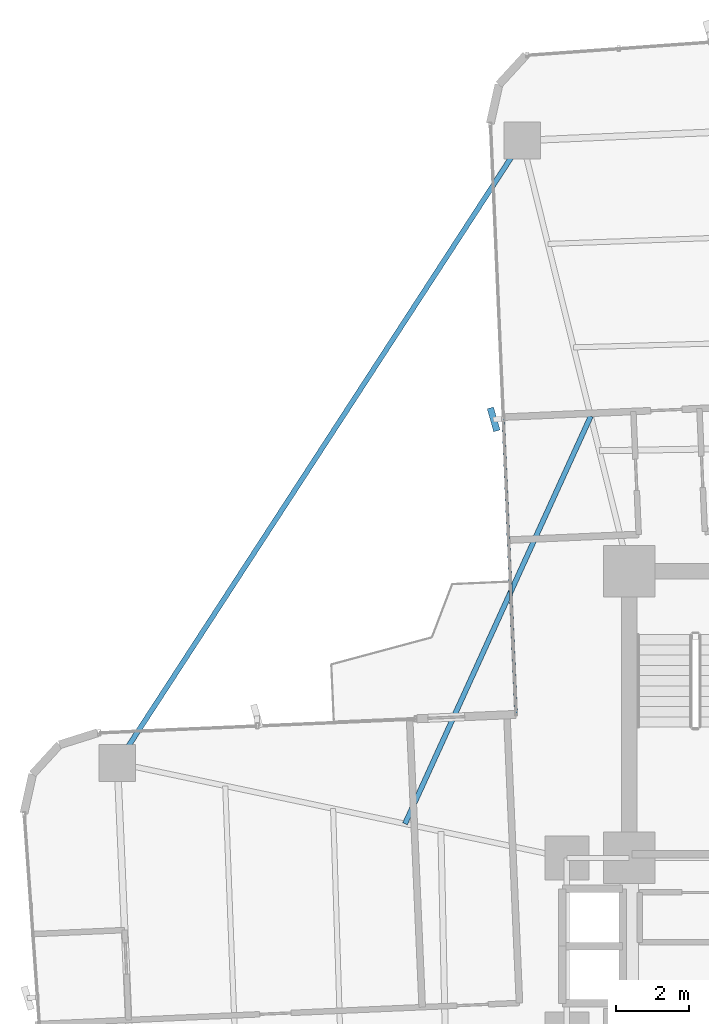
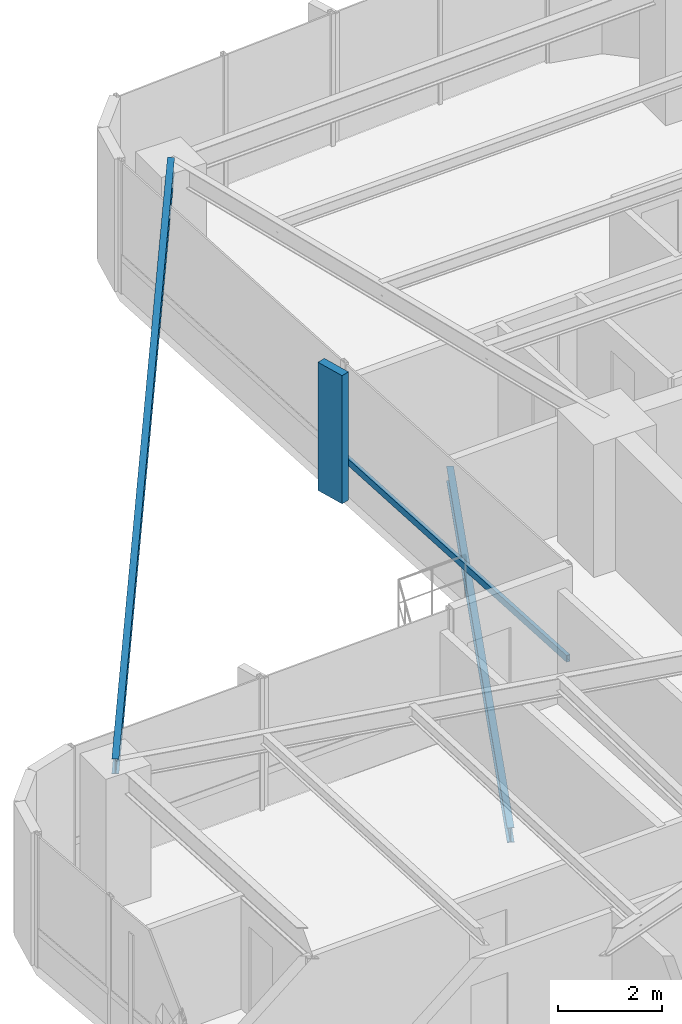
# One storey, part 16 of 26: 2 beams, 2 members, 1 element without a shape of its own.
"""IFC4 building model written with IfcOpenShell, lengths in metres."""

from ifc_helpers import new_model, si_unit, direction, frame, origin, origin_2d, place, context, subcontext, project, spatial, rectangle, hollow_rectangle, i_section, extrude, source, transform, mapped, material, material_profile, profile_set, type_object, element, aggregate, save


model = new_model("IFC4")

# Units and contexts
model_context = context("Model", 3, precision=1e-05, world=origin(), true_north=direction((0.0, 1.0)))
body_context = subcontext(model_context, "Body", "Model", "MODEL_VIEW")
ifc_project = project(units=[si_unit("LENGTHUNIT", "METRE"), si_unit("AREAUNIT", "SQUARE_METRE"), si_unit("VOLUMEUNIT", "CUBIC_METRE"), si_unit("PLANEANGLEUNIT", "RADIAN"), si_unit("MASSUNIT", "GRAM", prefix="KILO")], contexts=[model_context])

# Site, building, storey
site_placement = place(None, origin())
site = spatial("IfcSite", under=ifc_project, at=site_placement, CompositionType="ELEMENT")
building_placement = place(site_placement, origin())
building = spatial("IfcBuilding", under=site, at=building_placement, Name="Sahyath Konkavel Grand Hotel", CompositionType="ELEMENT")
storey_placement = place(building_placement, frame((0.0, 0.0, 86.85009765625)))
storey = spatial("IfcBuildingStorey", under=building, at=storey_placement, Name="L23", CompositionType="ELEMENT", Elevation=86.85009765625)

# Beam
ifc_material_1 = material(Name="Steel E350", Category="steel")
ifc_material_profile_1 = material_profile(ifc_material_1, i_section(OverallWidth=0.139892578125, OverallDepth=0.35009765625, WebThickness=0.008056640625, FlangeThickness=0.01416015625, FilletRadius=0.013916015625, at=origin_2d()), Name="ISMB 350")
ifc_profile_set_1 = profile_set([ifc_material_profile_1], Name="Steel E350")
beam_type_1 = type_object("IfcBeamType", Name="BM-ISMB350", PredefinedType="BEAM", material=ifc_profile_set_1)
shared_shape_1 = source(origin(), body_context, "Body", "SweptSolid", [
    extrude(i_section(OverallWidth=0.139892578125, OverallDepth=0.35009765625, WebThickness=0.008056640625, FlangeThickness=0.01416015625, FilletRadius=0.013916015625, at=origin_2d()), origin(), (0.0, 0.0, 1.0), 20.21533203125),
])
beam_1_placement = place(storey_placement, frame((-6.712890625, 21.927978515625, 2.934814453125), z_axis=(-0.545191244931, -0.838311700056, 0.0), x_axis=(0.838311700056, -0.545191244931, 0.0)))
element("IfcBeam", 1, at=beam_1_placement, inside=storey, type_object=beam_type_1, Name="L23 Re-Entrant Tie Beam NW", PredefinedType="BEAM", context=body_context, shape_type="MappedRepresentation", body=[
    mapped(shared_shape_1, transform((0.0, 0.0, 0.0), scale=1.0)),
])

# Curtain wall, members
ifc_material_2 = material(Name="Anodised Bronze Aluminium & Low-E Glazing", Category="aluminium")
curtain_wall_type = type_object("IfcCurtainWallType", Name="CW-ZONE2", PredefinedType="NOTDEFINED", material=ifc_material_2)
curtain_wall_placement = place(storey_placement, origin())
curtain_wall = element("IfcCurtainWall", 2, at=curtain_wall_placement, inside=storey, type_object=curtain_wall_type, Name="L23 Unitised Curtain Wall F15", PredefinedType="NOTDEFINED")
ifc_material_3 = material(Name="Warm Buff Sandstone Cladding on Concrete C50/60", Category="masonry")
ifc_material_profile_2 = material_profile(ifc_material_3, rectangle(XDim=0.179931640625, YDim=0.64990234375, at=origin_2d()), Name="FIN 180x650")
ifc_profile_set_2 = profile_set([ifc_material_profile_2], Name="Warm Buff Sandstone Cladding on Concrete C50/60")
member_type_1 = type_object("IfcMemberType", Name="FIN-SANDSTONE-650", PredefinedType="MULLION", material=ifc_profile_set_2)
shared_shape_2 = source(origin(), body_context, "Body", "SweptSolid", [
    extrude(rectangle(XDim=0.179931640625, YDim=0.64990234375, at=origin_2d()), origin(), (0.0, 0.0, 1.0), 3.010009765625),
])
member_1_placement = place(storey_placement, frame((-7.492431640625, 14.3369140625, 0.0498046875), z_axis=(0.0, 0.0, 1.0), x_axis=(0.962360427228, 0.271776393577, 0.0)))
member_1 = element("IfcMember", 3, at=member_1_placement, type_object=member_type_1, Name="L23 Sandstone Vertical Solar Fin FIN F15-1", PredefinedType="MULLION", context=body_context, shape_type="MappedRepresentation", body=[
    mapped(shared_shape_2, transform((0.0, 0.0, 0.0), scale=1.0)),
])
ifc_material_4 = material(Name="Anodised Bronze Aluminium", Category="aluminium")
ifc_material_profile_3 = material_profile(ifc_material_4, hollow_rectangle(XDim=0.080078125, YDim=0.159912109375, WallThickness=0.006103515625, at=origin_2d()), Name="RHS 160x80x6")
ifc_profile_set_3 = profile_set([ifc_material_profile_3], Name="Anodised Bronze Aluminium")
member_type_2 = type_object("IfcMemberType", Name="CW-TRN-160", PredefinedType="USERDEFINED", material=ifc_profile_set_3)
shared_shape_3 = source(origin(), body_context, "Body", "SweptSolid", [
    extrude(hollow_rectangle(XDim=0.080078125, YDim=0.159912109375, WallThickness=0.006103515625, at=origin_2d()), origin(), (0.0, 0.0, 1.0), 8.010009765625),
])
member_2_placement = place(storey_placement, frame((-7.232666015625, 14.34814453125, 0.849853515625), z_axis=(0.043615785896, -0.999048378819, 0.0), x_axis=(0.999048378819, 0.043615785896, 0.0)))
member_2 = element("IfcMember", 4, at=member_2_placement, type_object=member_type_2, Name="L23 Curtain Wall Transom F15-1-spandrel", ObjectType="TRANSOM", PredefinedType="USERDEFINED", context=body_context, shape_type="MappedRepresentation", body=[
    mapped(shared_shape_3, transform((0.0, 0.0, 0.0), scale=1.0)),
])
aggregate(curtain_wall, [member_1, member_2])

# Beam
ifc_material_profile_4 = material_profile(ifc_material_1, i_section(OverallWidth=0.139892578125, OverallDepth=0.35009765625, WebThickness=0.008056640625, FlangeThickness=0.01416015625, FilletRadius=0.013916015625, at=origin_2d()), Name="ISMB 350")
ifc_profile_set_4 = profile_set([ifc_material_profile_4], Name="Steel E350")
beam_type_2 = type_object("IfcBeamType", Name="BM-BALC-CANT", PredefinedType="BEAM", material=ifc_profile_set_4)
shared_shape_4 = source(origin(), body_context, "Body", "SweptSolid", [
    extrude(i_section(OverallWidth=0.139892578125, OverallDepth=0.35009765625, WebThickness=0.008056640625, FlangeThickness=0.01416015625, FilletRadius=0.013916015625, at=origin_2d()), origin(), (0.0, 0.0, 1.0), 12.190673828125),
])
beam_2_placement = place(storey_placement, frame((-4.8486328125, 14.422119140625, -0.4150390625), z_axis=(-0.414712580086, -0.909952458054, 0.0), x_axis=(0.909952458054, -0.414712580086, 0.0)))
element("IfcBeam", 5, at=beam_2_placement, inside=storey, type_object=beam_type_2, Name="L23 Balcony Cantilever Support Beam NW", PredefinedType="BEAM", context=body_context, shape_type="MappedRepresentation", body=[
    mapped(shared_shape_4, transform((0.0, 0.0, 0.0), scale=1.0)),
])

save(model, "model.ifc")
